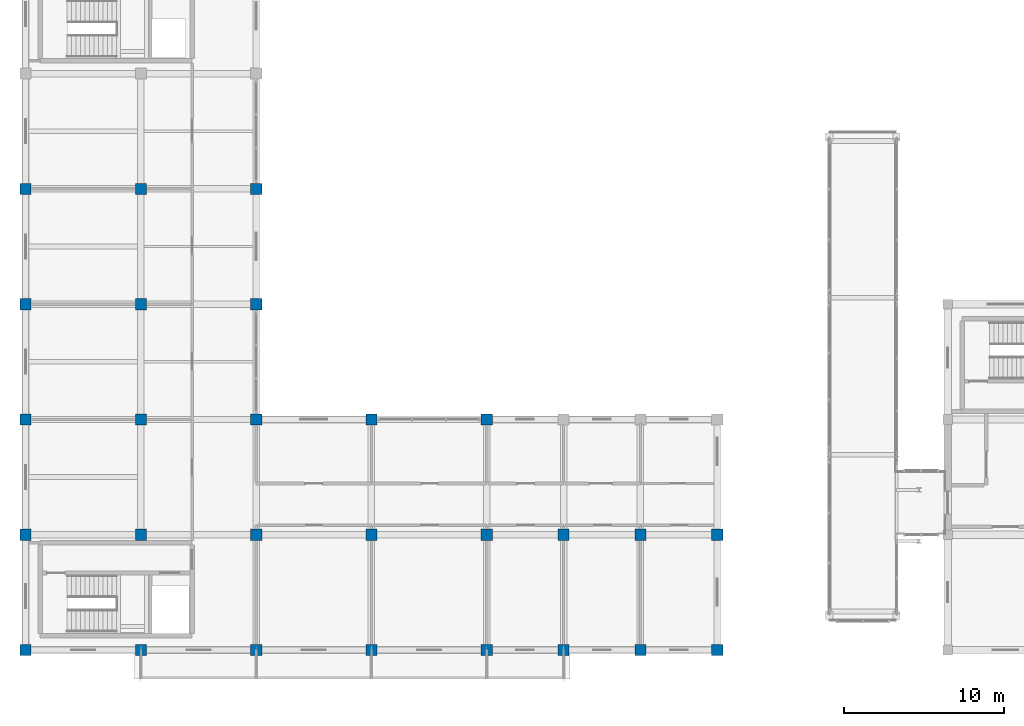
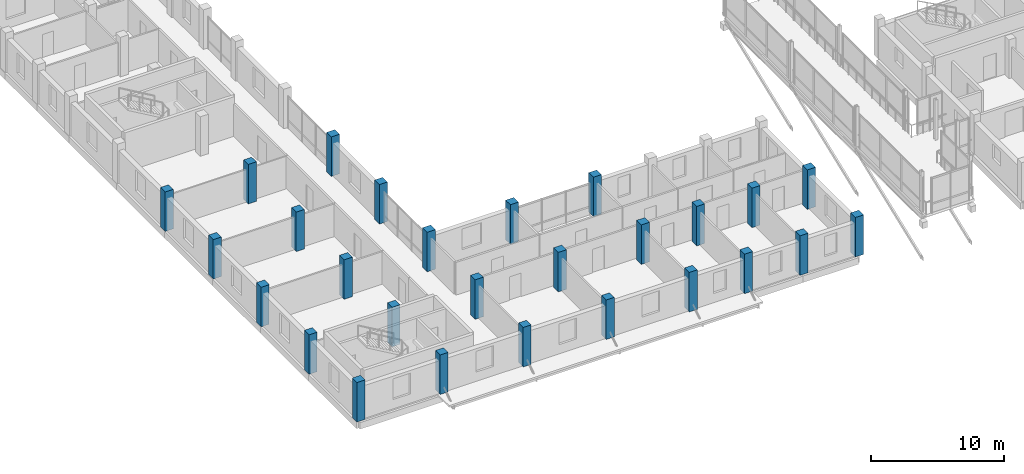
# One storey, part 1 of 128: 27 columns.
"""IFC4 building model written with IfcOpenShell, lengths in metres."""

from ifc_helpers import new_model, si_unit, direction, frame, origin, origin_2d, place, context, subcontext, project, spatial, rectangle, extrude, material, material_profile, profile_set, type_object, element, save


model = new_model("IFC4")

# Units and contexts
model_context = context("Model", 3, precision=1e-05, world=origin(), true_north=direction((0.0, 1.0)))
body_context = subcontext(model_context, "Body", "Model", "MODEL_VIEW")
ifc_project = project(units=[si_unit("LENGTHUNIT", "METRE"), si_unit("AREAUNIT", "SQUARE_METRE"), si_unit("VOLUMEUNIT", "CUBIC_METRE"), si_unit("PLANEANGLEUNIT", "RADIAN"), si_unit("MASSUNIT", "GRAM", prefix="KILO")], contexts=[model_context])

# Site, building, storey
site_placement = place(None, origin())
site = spatial("IfcSite", under=ifc_project, at=site_placement, CompositionType="ELEMENT")
building_placement = place(site_placement, origin())
building = spatial("IfcBuilding", under=site, at=building_placement, Name="Zornivar Specialist Clinic", CompositionType="ELEMENT")
storey_placement = place(building_placement, frame((0.0, 0.0, 4.5)))
storey = spatial("IfcBuildingStorey", under=building, at=storey_placement, Name="L01", CompositionType="ELEMENT", Elevation=4.5)

# Columns
ifc_material = material(Name="Concrete C35/45", Category="concrete")
ifc_material_profile = material_profile(ifc_material, rectangle(XDim=0.699951171875, YDim=0.699951171875, at=origin_2d()), Name="RC 700x700")
ifc_profile_set = profile_set([ifc_material_profile], Name="Concrete C35/45")
column_type = type_object("IfcColumnType", Name="COL-RC-700", PredefinedType="COLUMN", material=ifc_profile_set)
for number, where, z_axis, x_axis, name in (
    (1, (0.0, 0.0, 0.0), (0.0, 0.0, 1.0), (1.0, 0.0, 0.0), "col:V2:L01:0_0"),
    (2, (0.0, 7.199951171875, 0.0), (0.0, 0.0, 1.0), (1.0, 0.0, 0.0), "col:V2:L01:0_72"),
    (3, (0.0, 14.39990234375, 0.0), (0.0, 0.0, 1.0), (1.0, 0.0, 0.0), "col:V2:L01:0_144"),
    (4, (0.0, 21.60009765625, 0.0), (0.0, 0.0, 1.0), (1.0, 0.0, 0.0), "col:V2:L01:0_216"),
    (5, (0.0, 28.800048828125, 0.0), (0.0, 0.0, 1.0), (1.0, 0.0, 0.0), "col:V2:L01:0_288"),
    (6, (7.199951171875, 0.0, 0.0), (0.0, 0.0, 1.0), (1.0, 0.0, 0.0), "col:V2:L01:72_0"),
    (7, (7.199951171875, 7.199951171875, 0.0), (0.0, 0.0, 1.0), (1.0, 0.0, 0.0), "col:V2:L01:72_72"),
    (8, (7.199951171875, 14.39990234375, 0.0), (0.0, 0.0, 1.0), (1.0, 0.0, 0.0), "col:V2:L01:72_144"),
    (9, (7.199951171875, 21.60009765625, 0.0), (0.0, 0.0, 1.0), (1.0, 0.0, 0.0), "col:V2:L01:72_216"),
    (10, (7.199951171875, 28.800048828125, 0.0), (0.0, 0.0, 1.0), (1.0, 0.0, 0.0), "col:V2:L01:72_288"),
    (11, (14.39990234375, 0.0, 0.0), (0.0, 0.0, 1.0), (1.0, 0.0, 0.0), "col:V2:L01:144_0"),
    (12, (14.39990234375, 7.199951171875, 0.0), (0.0, 0.0, 1.0), (1.0, 0.0, 0.0), "col:V2:L01:144_72"),
    (13, (14.39990234375, 14.39990234375, 0.0), (0.0, 0.0, 1.0), (1.0, 0.0, 0.0), "col:V2:L01:144_144"),
    (14, (14.39990234375, 21.60009765625, 0.0), (0.0, 0.0, 1.0), (1.0, 0.0, 0.0), "col:V2:L01:144_216"),
    (15, (14.39990234375, 28.800048828125, 0.0), (0.0, 0.0, 1.0), (1.0, 0.0, 0.0), "col:V2:L01:144_288"),
    (16, (21.60009765625, 0.0, 0.0), (0.0, 0.0, 1.0), (1.0, 0.0, 0.0), "col:V2:L01:216_0"),
    (17, (21.60009765625, 7.199951171875, 0.0), (0.0, 0.0, 1.0), (1.0, 0.0, 0.0), "col:V2:L01:216_72"),
    (18, (21.60009765625, 14.39990234375, 0.0), (0.0, 0.0, 1.0), (1.0, 0.0, 0.0), "col:V2:L01:216_144"),
    (19, (28.800048828125, 0.0, 0.0), (0.0, 0.0, 1.0), (1.0, 0.0, 0.0), "col:V2:L01:288_0"),
    (20, (28.800048828125, 7.199951171875, 0.0), (0.0, 0.0, 1.0), (1.0, 0.0, 0.0), "col:V2:L01:288_72"),
    (21, (28.800048828125, 14.39990234375, 0.0), (0.0, 0.0, 1.0), (1.0, 0.0, 0.0), "col:V2:L01:288_144"),
    (22, (33.60009765625, 0.0, 0.0), (0.0, 0.0, 1.0), (1.0, 0.0, 0.0), "col:V2:L01:336_0"),
    (23, (33.60009765625, 7.199951171875, 0.0), (0.0, 0.0, 1.0), (1.0, 0.0, 0.0), "col:V2:L01:336_72"),
    (24, (38.39990234375, 0.0, 0.0), (0.0, 0.0, 1.0), (1.0, 0.0, 0.0), "col:V2:L01:384_0"),
    (25, (38.39990234375, 7.199951171875, 0.0), (0.0, 0.0, 1.0), (1.0, 0.0, 0.0), "col:V2:L01:384_72"),
    (26, (43.199951171875, 0.0, 0.0), (0.0, 0.0, 1.0), (1.0, 0.0, 0.0), "col:V2:L01:432_0"),
    (27, (43.199951171875, 7.199951171875, 0.0), (0.0, 0.0, 1.0), (1.0, 0.0, 0.0), "col:V2:L01:432_72"),
):
    element("IfcColumn", number, at=place(storey_placement, frame(where, z_axis=z_axis, x_axis=x_axis)), inside=storey, type_object=column_type, Name=name, PredefinedType="COLUMN", context=body_context, shape_type="SweptSolid", body=[
        extrude(rectangle(XDim=0.699951171875, YDim=0.699951171875, at=origin_2d()), origin(), (0.0, 0.0, 1.0), 3.6201171875),
    ])

save(model, "model.ifc")
